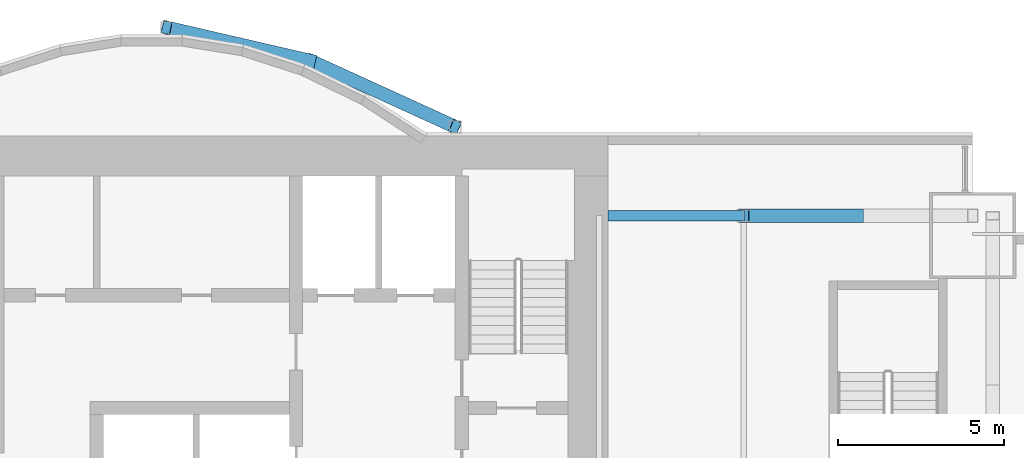
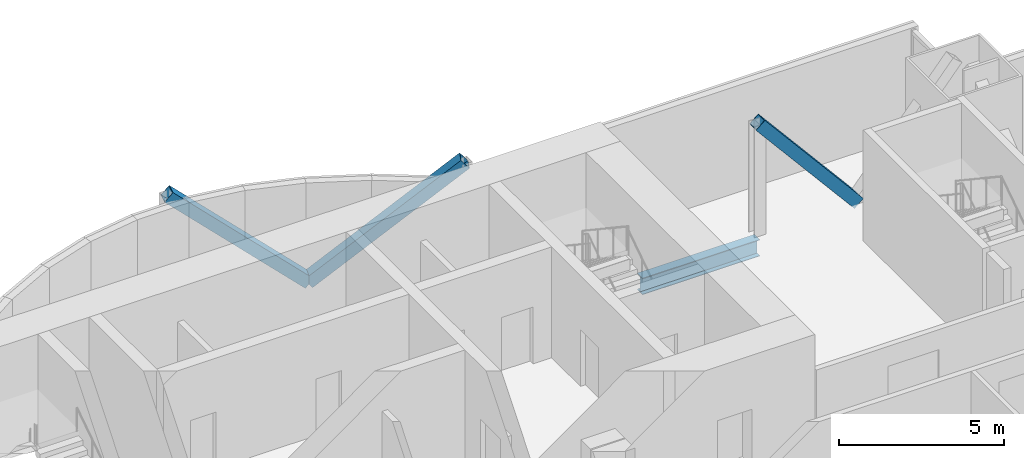
# One storey, part 11 of 21: 3 members, 1 beam.
"""IFC4 building model written with IfcOpenShell, lengths in metres."""

import ifcopenshell
import ifcopenshell.guid

model = None  # the IFC model being written
_history = None  # IfcOwnerHistory: only IFC2X3 demands one
_inside = {}  # id of a spatial element -> (the spatial element, [elements in it])
_under = {}  # id of a project, library or spatial element -> (it, [spatial elements below it])
_declared = {}  # id of a project -> (the project, [libraries it declares])
_typed = {}  # id of a type object -> (the type object, [elements of that type])
_made_of = {}  # id of a material, layer set ... -> (it, [elements and type objects made of it])


def new_model(schema):
    """Start an empty IFC model of exactly this schema.

    Asked for "IFC4X3", IfcOpenShell would pick the latest addendum, in which some entities
    have other attributes; the version numbers below select the first issue.
    IFC2X3 requires an IfcOwnerHistory on every rooted entity: one is made here for all.
    """
    global model, _history
    if schema == "IFC4X3":
        model = ifcopenshell.file(schema_version=(4, 3, 0, 0))
    else:
        model = ifcopenshell.file(schema=schema)
    _inside.clear()
    _under.clear()
    _declared.clear()
    _typed.clear()
    _made_of.clear()
    _history = None
    if model.schema == "IFC2X3":
        org = make("IfcOrganization", Name="unknown")
        user = make(
            "IfcPersonAndOrganization",
            ThePerson=make("IfcPerson", FamilyName="unknown"),
            TheOrganization=org,
        )
        app = make(
            "IfcApplication",
            ApplicationDeveloper=org,
            Version="unknown",
            ApplicationFullName="unknown",
            ApplicationIdentifier="unknown",
        )
        _history = make(
            "IfcOwnerHistory",
            OwningUser=user,
            OwningApplication=app,
            ChangeAction="ADDED",
            CreationDate=0,
        )
    return model


def make(cls, **values):
    """One entity of the class cls with the attributes given. An attribute that is None is left unset."""
    return model.create_entity(
        cls, **{name: value for name, value in values.items() if value is not None}
    )


def rooted(cls, **values):
    """An entity with a GlobalId (a new one), such as an element, a storey or a relation."""
    return make(cls, GlobalId=ifcopenshell.guid.new(), OwnerHistory=_history, **values)


def si_unit(unit_type, name, prefix=None):
    """IfcSIUnit, for example si_unit("LENGTHUNIT", "METRE", prefix="MILLI")."""
    return make("IfcSIUnit", UnitType=unit_type, Prefix=prefix, Name=name)


def assignment(units):
    """IfcUnitAssignment: the units of a project."""
    return None if units is None else make("IfcUnitAssignment", Units=units)


def point(xyz):
    """IfcCartesianPoint."""
    return None if xyz is None else make("IfcCartesianPoint", Coordinates=xyz)


def direction(xyz):
    """IfcDirection."""
    return None if xyz is None else make("IfcDirection", DirectionRatios=xyz)


def frame(location, z_axis=None, x_axis=None):
    """IfcAxis2Placement3D, a coordinate frame: its origin and axes. An axis left out is left unset."""
    return make(
        "IfcAxis2Placement3D",
        Location=point(location),
        Axis=direction(z_axis),
        RefDirection=direction(x_axis),
    )


def frame_2d(location, x_axis=None):
    """IfcAxis2Placement2D, a coordinate frame in the plane: its origin and x axis."""
    return make(
        "IfcAxis2Placement2D", Location=point(location), RefDirection=direction(x_axis)
    )


def origin():
    """The frame at (0, 0, 0) with its axes left unset."""
    return frame((0.0, 0.0, 0.0))


def origin_2d():
    """The frame at (0, 0) in the plane with its x axis left unset."""
    return frame_2d((0.0, 0.0))


def place(relative_to, where):
    """IfcLocalPlacement: puts the frame where relative to a parent placement (None: the world)."""
    return make(
        "IfcLocalPlacement", PlacementRelTo=relative_to, RelativePlacement=where
    )


def context(
    kind, dimensions, precision=None, world=None, true_north=None, identifier=None
):
    """IfcGeometricRepresentationContext, for example the 3D "Model" context."""
    return make(
        "IfcGeometricRepresentationContext",
        ContextIdentifier=identifier,
        ContextType=kind,
        CoordinateSpaceDimension=dimensions,
        Precision=precision,
        WorldCoordinateSystem=world,
        TrueNorth=true_north,
    )


def subcontext(parent, identifier, kind, view, scale=None):
    """IfcGeometricRepresentationSubContext, for example "Body" below "Model"."""
    return make(
        "IfcGeometricRepresentationSubContext",
        ContextIdentifier=identifier,
        ContextType=kind,
        ParentContext=parent,
        TargetScale=scale,
        TargetView=view,
    )


def project(units=None, contexts=None):
    """IfcProject with its units and contexts."""
    return rooted(
        "IfcProject",
        Name="project",
        RepresentationContexts=contexts,
        UnitsInContext=assignment(units),
    )


def spatial(cls, under=None, at=None, **own):
    """A site, building, storey or space (cls), placed at a placement, below another one or the project."""
    s = rooted(cls, ObjectPlacement=at, **own)
    if under is not None:
        _under.setdefault(under.id(), (under, []))[1].append(s)
    return s


def profile(cls, at=None, kind="AREA", **sizes):
    """A parametric profile (cls). Its sizes go by their IFC names, for example OverallWidth=200.0."""
    return make(cls, ProfileType=kind, Position=at, **sizes)


def hollow_rectangle(**sizes):
    """IfcRectangleHollowProfileDef."""
    return profile("IfcRectangleHollowProfileDef", **sizes)


def i_section(**sizes):
    """IfcIShapeProfileDef."""
    return profile("IfcIShapeProfileDef", **sizes)


def extrude(swept, where, along, depth):
    """IfcExtrudedAreaSolid: the profile swept, set in the frame where, extruded along a direction by depth."""
    return make(
        "IfcExtrudedAreaSolid",
        SweptArea=swept,
        Position=where,
        ExtrudedDirection=direction(along),
        Depth=depth,
    )


def shape(context_of_items, identifier, shape_type, items):
    """IfcShapeRepresentation: the items that make up one representation, for example the "Body"."""
    return make(
        "IfcShapeRepresentation",
        ContextOfItems=context_of_items,
        RepresentationIdentifier=identifier,
        RepresentationType=shape_type,
        Items=items,
    )


def material(Name=None, Category=None):
    """IfcMaterial."""
    return make("IfcMaterial", Name=Name, Category=Category)


def material_profile(
    of_material, cross_section, Name=None, Category=None, Priority=None
):
    """IfcMaterialProfile: a cross section and its material."""
    return make(
        "IfcMaterialProfile",
        Name=Name,
        Material=of_material,
        Profile=cross_section,
        Priority=Priority,
        Category=Category,
    )


def profile_set(profiles, Name=None, composite=None):
    """IfcMaterialProfileSet."""
    return make(
        "IfcMaterialProfileSet",
        Name=Name,
        MaterialProfiles=profiles,
        CompositeProfile=composite,
    )


def made_of(thing, what):
    """Note that an element or type object is made of a material, layer set ...; save() writes the relation."""
    if what is not None:
        _made_of.setdefault(what.id(), (what, []))[1].append(thing)
    return thing


def type_object(cls, material=None, **own):
    """A type object (cls), such as IfcWallType, which elements share."""
    return made_of(rooted(cls, **own), material)


def element(
    cls,
    number,
    at=None,
    inside=None,
    cuts=None,
    type_object=None,
    material=None,
    context=None,
    identifier="Body",
    shape_type=None,
    held_by="IfcProductDefinitionShape",
    body=None,
    shapes=None,
    **own,
):
    """One element of the class cls, such as IfcWall. Its Tag is "e" and its number.

    at: its placement. inside: the storey or other place that contains it. cuts: it is an
    opening in that element (IfcRelVoidsElement). A single representation is given by context,
    identifier, shape_type and body (its items); several are given by shapes. held_by: the class
    of the entity that holds the representations. save() writes the other relations.
    """
    e = rooted(cls, Tag="e%d" % number, ObjectPlacement=at, **own)
    if body is not None:
        shapes = [shape(context, identifier, shape_type, body)]
    if shapes is not None:
        e.Representation = make(held_by, Representations=shapes)
    if inside is not None:
        _inside.setdefault(inside.id(), (inside, []))[1].append(e)
    if cuts is not None:
        rooted(
            "IfcRelVoidsElement", RelatingBuildingElement=cuts, RelatedOpeningElement=e
        )
    if type_object is not None:
        _typed.setdefault(type_object.id(), (type_object, []))[1].append(e)
    return made_of(e, material)


def aggregate(whole, parts):
    """IfcRelAggregates: a whole, such as a stair, and the parts it consists of."""
    return rooted("IfcRelAggregates", RelatingObject=whole, RelatedObjects=parts)


def save(model, path):
    """Write the relations noted so far, then the file.

    IfcRelAggregates (storeys below a building ...), IfcRelContainedInSpatialStructure (elements
    in a storey), IfcRelDefinesByType, IfcRelAssociatesMaterial and IfcRelDeclares: one each for
    every whole, place, type object, material and project.
    """
    for whole, parts in _under.values():
        aggregate(whole, parts)
    for where, things in _inside.values():
        rooted(
            "IfcRelContainedInSpatialStructure",
            RelatedElements=things,
            RelatingStructure=where,
        )
    for kind, things in _typed.values():
        rooted("IfcRelDefinesByType", RelatedObjects=things, RelatingType=kind)
    for what, things in _made_of.values():
        rooted("IfcRelAssociatesMaterial", RelatedObjects=things, RelatingMaterial=what)
    for by, libraries in _declared.values():
        rooted("IfcRelDeclares", RelatingContext=by, RelatedDefinitions=libraries)
    model.write(path)


model = new_model("IFC4")

# Units and contexts
model_context = context("Model", 3, precision=1e-05, world=origin(), true_north=direction((0.0, 1.0)))
body_context = subcontext(model_context, "Body", "Model", "MODEL_VIEW")
ifc_project = project(units=[si_unit("LENGTHUNIT", "METRE"), si_unit("AREAUNIT", "SQUARE_METRE"), si_unit("VOLUMEUNIT", "CUBIC_METRE"), si_unit("PLANEANGLEUNIT", "RADIAN"), si_unit("MASSUNIT", "GRAM", prefix="KILO")], contexts=[model_context])

# Site, building, storey
site_placement = place(None, origin())
site = spatial("IfcSite", under=ifc_project, at=site_placement, CompositionType="ELEMENT")
building_placement = place(site_placement, origin())
building = spatial("IfcBuilding", under=site, at=building_placement, Name="Bicima Exchange Tower", CompositionType="ELEMENT")
storey_placement = place(building_placement, frame((0.0, 0.0, 165.0)))
storey = spatial("IfcBuildingStorey", under=building, at=storey_placement, Name="L36", CompositionType="ELEMENT", Elevation=165.0)

# Members
ifc_material_1 = material(Name="Steel ASTM A572 Gr 50", Category="steel")
ifc_material_profile_1 = material_profile(ifc_material_1, hollow_rectangle(XDim=0.406494140625, YDim=0.406494140625, WallThickness=0.017822265625, at=origin_2d()))
ifc_profile_set_1 = profile_set([ifc_material_profile_1], Name="Steel ASTM A572 Gr 50")
member_type = type_object("IfcMemberType", Name="Mega brace HSS16x16x3/4", PredefinedType="BRACE", material=ifc_profile_set_1)
member_1_placement = place(storey_placement, frame((13.050048828125, 2.262451171875, 0.0), z_axis=(0.690628963585, -0.315060460011, 0.650975069565), x_axis=(0.415045223819, 0.909800781592, 0.0)))
element("IfcMember", 1, at=member_1_placement, inside=storey, type_object=member_type, Name="Mega brace rexo", PredefinedType="BRACE", context=body_context, shape_type="SweptSolid", body=[
    extrude(hollow_rectangle(XDim=0.406494140625, YDim=0.406494140625, WallThickness=0.017822265625, at=origin_2d()), origin(), (0.0, 0.0, 1.0), 6.29833984375),
])
member_2_placement = place(storey_placement, frame((13.050048828125, 2.262451171875, 0.0), z_axis=(-0.717605620354, 0.166050509188, 0.676364843878), x_axis=(-0.225438503722, -0.974257399787, 0.0)))
element("IfcMember", 2, at=member_2_placement, inside=storey, type_object=member_type, Name="Mega brace rexo", PredefinedType="BRACE", context=body_context, shape_type="SweptSolid", body=[
    extrude(hollow_rectangle(XDim=0.406494140625, YDim=0.406494140625, WallThickness=0.017822265625, at=origin_2d()), origin(), (0.0, 0.0, 1.0), 6.06201171875),
])
member_3_placement = place(storey_placement, frame((29.550048828125, -2.39990234375, 0.0), z_axis=(-0.643834042494, 0.0, 0.765165162384), x_axis=(0.0, -1.0, 0.0)))
element("IfcMember", 3, at=member_3_placement, inside=storey, type_object=member_type, Name="Mega brace rear", PredefinedType="BRACE", context=body_context, shape_type="SweptSolid", body=[
    extrude(hollow_rectangle(XDim=0.406494140625, YDim=0.406494140625, WallThickness=0.017822265625, at=origin_2d()), origin(), (0.0, 0.0, 1.0), 5.3583984375),
])

# Beam
ifc_material_2 = material(Name="Steel ASTM A992 Gr 50", Category="steel")
ifc_material_profile_2 = material_profile(ifc_material_2, i_section(OverallWidth=0.3251953125, OverallDepth=0.612060546875, WebThickness=0.0126953125, FlangeThickness=0.01904296875, at=origin_2d()))
ifc_profile_set_2 = profile_set([ifc_material_profile_2], Name="Steel ASTM A992 Gr 50")
beam_type = type_object("IfcBeamType", Name="Rear girder W24x104", PredefinedType="BEAM", material=ifc_profile_set_2)
beam_placement = place(storey_placement, frame((22.0, -2.39990234375, -0.4560546875), z_axis=(1.0, 0.0, 0.0), x_axis=(0.0, 1.0, 0.0)))
element("IfcBeam", 4, at=beam_placement, inside=storey, type_object=beam_type, Name="Rear girder", PredefinedType="BEAM", context=body_context, shape_type="SweptSolid", body=[
    extrude(i_section(OverallWidth=0.3251953125, OverallDepth=0.612060546875, WebThickness=0.0126953125, FlangeThickness=0.01904296875, at=origin_2d()), origin(), (0.0, 0.0, 1.0), 4.10009765625),
])

save(model, "model.ifc")
